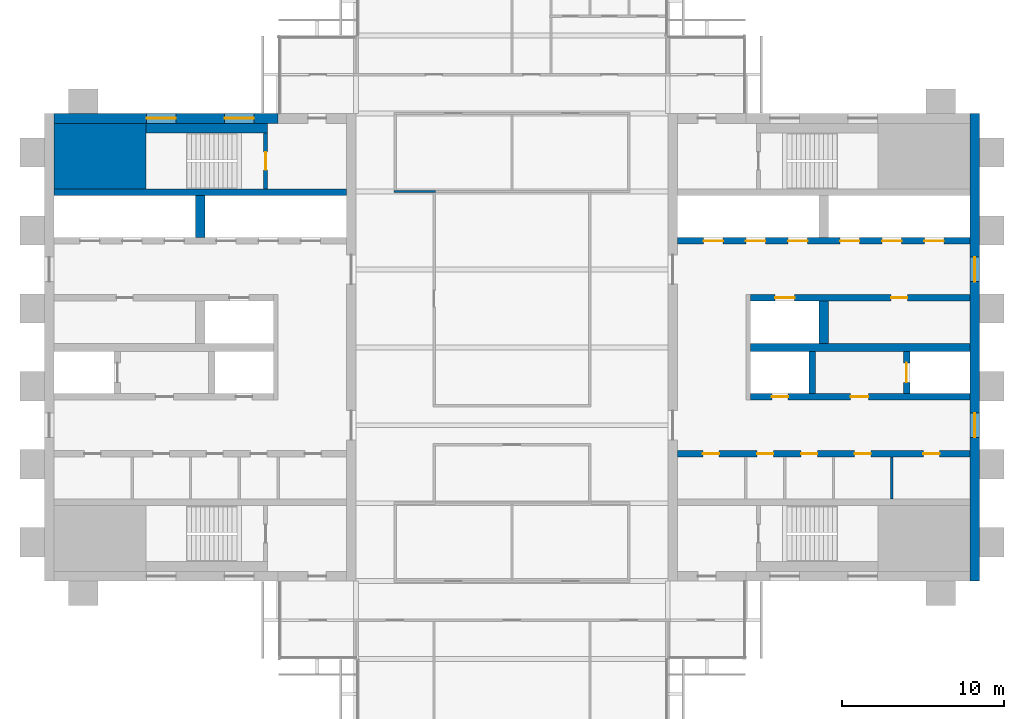
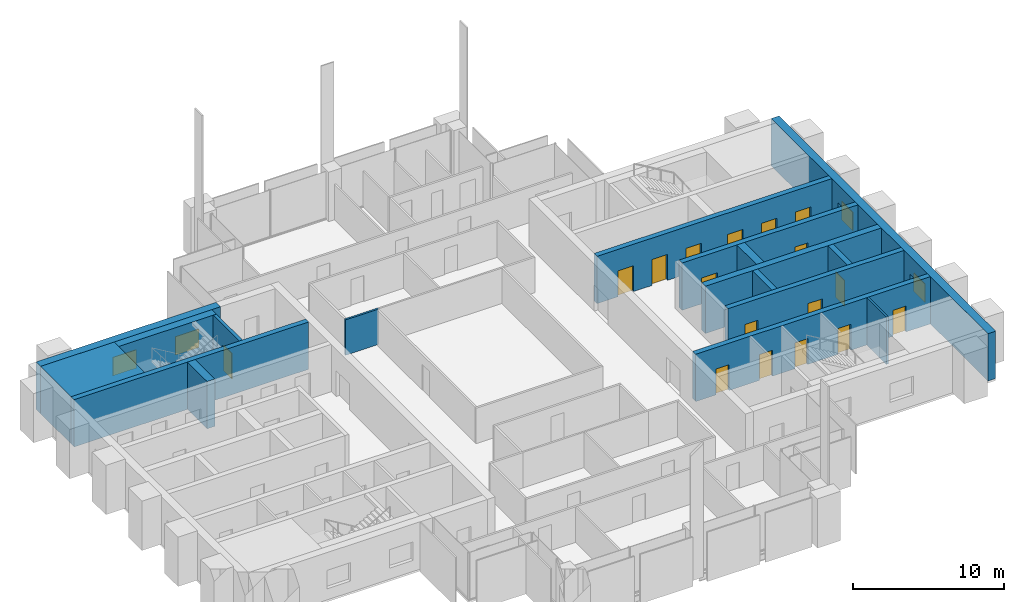
# One storey, part 10 of 13: 17 doors, 17 walls, 4 windows, 21 openings.
"""IFC4 building model written with IfcOpenShell, lengths in metres."""

from ifc_helpers import new_model, si_unit, direction, frame, frame_2d, origin, place, context, subcontext, project, spatial, rectangle, extrude, material, layer, layer_set, type_object, element, fill, save


model = new_model("IFC4")

# Units and contexts
model_context = context("Model", 3, precision=1e-05, world=origin(), true_north=direction((0.0, 1.0)))
body_context = subcontext(model_context, "Body", "Model", "MODEL_VIEW")
ifc_project = project(units=[si_unit("LENGTHUNIT", "METRE"), si_unit("AREAUNIT", "SQUARE_METRE"), si_unit("VOLUMEUNIT", "CUBIC_METRE"), si_unit("PLANEANGLEUNIT", "RADIAN"), si_unit("MASSUNIT", "GRAM", prefix="KILO")], contexts=[model_context])

# Site, building, storey
site_placement = place(None, origin())
site = spatial("IfcSite", under=ifc_project, at=site_placement, CompositionType="ELEMENT")
building_placement = place(site_placement, origin())
building = spatial("IfcBuilding", under=site, at=building_placement, Name="Baori Bourse Tower", CompositionType="ELEMENT")
storey_placement = place(building_placement, frame((0.0, 0.0, 330.300048828125)))
storey = spatial("IfcBuildingStorey", under=building, at=storey_placement, Name="L73", CompositionType="ELEMENT", Elevation=330.300048828125)

# Walls
ifc_material_1 = material(Name="Concrete f'c 40 MPa", Category="concrete")
wall_type_1 = type_object("IfcWallType", Name="Core corner block f'c 40", PredefinedType="SHEAR", material=ifc_material_1)
wall_1_placement = place(storey_placement, frame((0.60009765625, 35.77490234375, 0.0), z_axis=(0.0, 0.0, 1.0), x_axis=(1.0, 0.0, 0.0)))
element("IfcWall", 1, at=wall_1_placement, inside=storey, type_object=wall_type_1, Name="Core wall W24", PredefinedType="SHEAR", context=body_context, shape_type="SweptSolid", body=[
    extrude(rectangle(XDim=5.64990234375, YDim=4.050048828125, at=frame_2d((2.824951171875, 0.0))), origin(), (0.0, 0.0, 1.0), 3.83984375),
])
ifc_material_2 = material(Name="Blockwork partition", Category="masonry")
ifc_layer_1 = layer(ifc_material_2, 0.14990234375)
ifc_layer_set_1 = layer_set([ifc_layer_1], Name="Core partition 150")
wall_type_2 = type_object("IfcWallType", Name="Core partition 150", PredefinedType="PARTITIONING", material=ifc_layer_set_1)
wall_2_placement = place(storey_placement, frame((52.199951171875, 14.64990234375, 0.0), z_axis=(0.0, 0.0, 1.0), x_axis=(0.0, 1.0, 0.0)))
element("IfcWall", 2, at=wall_2_placement, inside=storey, type_object=wall_type_2, Name="Partition wall E09", PredefinedType="PARTITIONING", context=body_context, shape_type="SweptSolid", body=[
    extrude(rectangle(XDim=2.60009765625, YDim=0.14990234375, at=frame_2d((1.300048828125, 0.0))), origin(), (0.0, 0.0, 1.0), 3.83984375),
])

# Wall, openings, windows
ifc_material_3 = material(Name="Concrete f'c 40 MPa", Category="concrete")
ifc_layer_2 = layer(ifc_material_3, 0.60009765625)
ifc_layer_set_2 = layer_set([ifc_layer_2], Name="Core wall 600 f'c 40")
wall_type_3 = type_object("IfcWallType", Name="Core wall 600 f'c 40", PredefinedType="SHEAR", material=ifc_layer_set_2)
wall_3_placement = place(storey_placement, frame((0.60009765625, 38.10009765625, 0.0), z_axis=(0.0, 0.0, 1.0), x_axis=(1.0, 0.0, 0.0)))
wall_3 = element("IfcWall", 3, at=wall_3_placement, inside=storey, type_object=wall_type_3, Name="Core wall W27", PredefinedType="SHEAR", context=body_context, shape_type="SweptSolid", body=[
    extrude(rectangle(XDim=13.7998046875, YDim=0.60009765625, at=frame_2d((6.89990234375, 0.0))), origin(), (0.0, 0.0, 1.0), 3.83984375),
])
opening_1_placement = place(wall_3_placement, frame((5.699951171875, 0.0, 0.89990234375)))
opening_1 = element("IfcOpeningElement", 4, at=opening_1_placement, cuts=wall_3, Name="Opening L73-KW105", PredefinedType="OPENING", context=body_context, shape_type="SweptSolid", body=[
    extrude(rectangle(XDim=1.800048828125, YDim=1.5, at=frame_2d((0.89990234375, 0.75))), frame((0.0, 0.31005859375, 0.0), z_axis=(0.0, -1.0, 0.0), x_axis=(1.0, 0.0, 0.0)), (0.0, 0.0, 1.0), 0.6201171875),
])
opening_2_placement = place(wall_3_placement, frame((10.5, 0.0, 0.89990234375)))
opening_2 = element("IfcOpeningElement", 5, at=opening_2_placement, cuts=wall_3, Name="Opening L73-KW106", PredefinedType="OPENING", context=body_context, shape_type="SweptSolid", body=[
    extrude(rectangle(XDim=1.800048828125, YDim=1.5, at=frame_2d((0.89990234375, 0.75))), frame((0.0, 0.31005859375, 0.0), z_axis=(0.0, -1.0, 0.0), x_axis=(1.0, 0.0, 0.0)), (0.0, 0.0, 1.0), 0.6201171875),
])
ifc_material_4 = material(Name="Pale anodised aluminium", Category="aluminium")
window_type_1 = type_object("IfcWindowType", Name="Stair window 1800 x 1500", PartitioningType="SINGLE_PANEL", PredefinedType="WINDOW", material=ifc_material_4)
window_1_placement = place(opening_1_placement, origin())
window_1 = element("IfcWindow", 6, at=window_1_placement, inside=storey, type_object=window_type_1, Name="Stair window W L73 5", OverallHeight=1.5, OverallWidth=1.800048828125, PartitioningType="SINGLE_PANEL", PredefinedType="WINDOW", context=body_context, shape_type="SweptSolid", body=[
    extrude(rectangle(XDim=1.800048828125, YDim=1.5, at=frame_2d((0.89990234375, 0.75))), frame((0.0, 0.030029296875, 0.0), z_axis=(0.0, -1.0, 0.0), x_axis=(1.0, 0.0, 0.0)), (0.0, 0.0, 1.0), 0.06005859375),
])
fill(opening_1, window_1)
window_2_placement = place(opening_2_placement, origin())
window_2 = element("IfcWindow", 7, at=window_2_placement, inside=storey, type_object=window_type_1, Name="Stair window W L73 6", OverallHeight=1.5, OverallWidth=1.800048828125, PartitioningType="SINGLE_PANEL", PredefinedType="WINDOW", context=body_context, shape_type="SweptSolid", body=[
    extrude(rectangle(XDim=1.800048828125, YDim=1.5, at=frame_2d((0.89990234375, 0.75))), frame((0.0, 0.030029296875, 0.0), z_axis=(0.0, -1.0, 0.0), x_axis=(1.0, 0.0, 0.0)), (0.0, 0.0, 1.0), 0.06005859375),
])
fill(opening_2, window_2)

wall_4_placement = place(storey_placement, frame((57.300048828125, 38.39990234375, 0.0), z_axis=(0.0, 0.0, 1.0), x_axis=(0.0, -1.0, 0.0)))
wall_4 = element("IfcWall", 8, at=wall_4_placement, inside=storey, type_object=wall_type_3, Name="Core wall E01", PredefinedType="SHEAR", context=body_context, shape_type="SweptSolid", body=[
    extrude(rectangle(XDim=28.7998046875, YDim=0.60009765625, at=frame_2d((14.39990234375, 0.0))), origin(), (0.0, 0.0, 1.0), 3.83984375),
])
opening_3_placement = place(wall_4_placement, frame((18.449951171875, 0.0, 0.89990234375)))
opening_3 = element("IfcOpeningElement", 9, at=opening_3_placement, cuts=wall_4, Name="Opening L73-KW201", PredefinedType="OPENING", context=body_context, shape_type="SweptSolid", body=[
    extrude(rectangle(XDim=1.5, YDim=1.5, at=frame_2d((0.75, 0.75))), frame((0.0, 0.31005859375, 0.0), z_axis=(0.0, -1.0, 0.0), x_axis=(1.0, 0.0, 0.0)), (0.0, 0.0, 1.0), 0.6201171875),
])
opening_4_placement = place(wall_4_placement, frame((8.85009765625, 0.0, 0.89990234375)))
opening_4 = element("IfcOpeningElement", 10, at=opening_4_placement, cuts=wall_4, Name="Opening L73-KW202", PredefinedType="OPENING", context=body_context, shape_type="SweptSolid", body=[
    extrude(rectangle(XDim=1.5, YDim=1.5, at=frame_2d((0.75, 0.75))), frame((0.0, 0.31005859375, 0.0), z_axis=(0.0, -1.0, 0.0), x_axis=(1.0, 0.0, 0.0)), (0.0, 0.0, 1.0), 0.6201171875),
])
ifc_material_5 = material(Name="Pale anodised aluminium", Category="aluminium")
window_type_2 = type_object("IfcWindowType", Name="Lobby window 1500 x 1500", PartitioningType="SINGLE_PANEL", PredefinedType="WINDOW", material=ifc_material_5)
window_3_placement = place(opening_3_placement, origin())
window_3 = element("IfcWindow", 11, at=window_3_placement, inside=storey, type_object=window_type_2, Name="Outer wall window E L73 1", OverallHeight=1.5, OverallWidth=1.5, PartitioningType="SINGLE_PANEL", PredefinedType="WINDOW", context=body_context, shape_type="SweptSolid", body=[
    extrude(rectangle(XDim=1.5, YDim=1.5, at=frame_2d((0.75, 0.75))), frame((0.0, 0.030029296875, 0.0), z_axis=(0.0, -1.0, 0.0), x_axis=(1.0, 0.0, 0.0)), (0.0, 0.0, 1.0), 0.06005859375),
])
fill(opening_3, window_3)
window_4_placement = place(opening_4_placement, origin())
window_4 = element("IfcWindow", 12, at=window_4_placement, inside=storey, type_object=window_type_2, Name="Outer wall window E L73 2", OverallHeight=1.5, OverallWidth=1.5, PartitioningType="SINGLE_PANEL", PredefinedType="WINDOW", context=body_context, shape_type="SweptSolid", body=[
    extrude(rectangle(XDim=1.5, YDim=1.5, at=frame_2d((0.75, 0.75))), frame((0.0, 0.030029296875, 0.0), z_axis=(0.0, -1.0, 0.0), x_axis=(1.0, 0.0, 0.0)), (0.0, 0.0, 1.0), 0.06005859375),
])
fill(opening_4, window_4)

# Wall
ifc_material_6 = material(Name="Gypsum board partition")
ifc_layer_3 = layer(ifc_material_6, 0.14990234375)
ifc_layer_set_3 = layer_set([ifc_layer_3], Name="Corridor partition 150")
wall_type_4 = type_object("IfcWallType", Name="Corridor partition 150", PredefinedType="PARTITIONING", material=ifc_layer_set_3)
wall_5_placement = place(storey_placement, frame((21.52490234375, 33.60009765625, 0.0), z_axis=(0.0, 0.0, 1.0), x_axis=(1.0, 0.0, 0.0)))
element("IfcWall", 13, at=wall_5_placement, inside=storey, type_object=wall_type_4, Name="Partition", PredefinedType="PARTITIONING", context=body_context, shape_type="SweptSolid", body=[
    extrude(rectangle(XDim=2.550048828125, YDim=0.14990234375, at=frame_2d((1.27490234375, 0.0))), origin(), (0.0, 0.0, 1.0), 2.86962890625),
])

# Wall, opening, door
ifc_material_7 = material(Name="Concrete f'c 40 MPa", Category="concrete")
ifc_layer_4 = layer(ifc_material_7, 0.25)
ifc_layer_set_4 = layer_set([ifc_layer_4], Name="Shaft wall 250 f'c 40")
wall_type_5 = type_object("IfcWallType", Name="Shaft wall 250 f'c 40", PredefinedType="SHEAR", material=ifc_layer_set_4)
wall_6_placement = place(storey_placement, frame((13.625, 33.75, 0.0), z_axis=(0.0, 0.0, 1.0), x_axis=(0.0, 1.0, 0.0)))
wall_6 = element("IfcWall", 14, at=wall_6_placement, inside=storey, type_object=wall_type_5, Name="Core wall W25", PredefinedType="SHEAR", context=body_context, shape_type="SweptSolid", body=[
    extrude(rectangle(XDim=3.449951171875, YDim=0.25, at=frame_2d((1.72509765625, 0.0))), origin(), (0.0, 0.0, 1.0), 3.83984375),
])
opening_5_placement = place(wall_6_placement, frame((1.175048828125, 0.0, 0.0)))
opening_5 = element("IfcOpeningElement", 15, at=opening_5_placement, cuts=wall_6, Name="Opening L73-D103", PredefinedType="OPENING", context=body_context, shape_type="SweptSolid", body=[
    extrude(rectangle(XDim=1.10009765625, YDim=2.10009765625, at=frame_2d((0.550048828125, 1.050048828125))), frame((0.0, 0.135009765625, 0.0), z_axis=(0.0, -1.0, 0.0), x_axis=(1.0, 0.0, 0.0)), (0.0, 0.0, 1.0), 0.27001953125),
])
ifc_material_8 = material(Name="Painted steel door", Category="steel")
door_type_1 = type_object("IfcDoorType", Name="Stair door 1100", OperationType="SINGLE_SWING_LEFT", PredefinedType="DOOR", material=ifc_material_8)
door_1_placement = place(opening_5_placement, origin())
door_1 = element("IfcDoor", 16, at=door_1_placement, inside=storey, type_object=door_type_1, Name="Stair door B W L73", OperationType="SINGLE_SWING_LEFT", OverallHeight=2.10009765625, OverallWidth=1.10009765625, PredefinedType="DOOR", context=body_context, shape_type="SweptSolid", body=[
    extrude(rectangle(XDim=1.10009765625, YDim=2.10009765625, at=frame_2d((0.550048828125, 1.050048828125))), frame((0.0, 0.02490234375, 0.0), z_axis=(0.0, -1.0, 0.0), x_axis=(1.0, 0.0, 0.0)), (0.0, 0.0, 1.0), 0.050048828125),
])
fill(opening_5, door_1)

# Wall
ifc_material_9 = material(Name="Concrete f'c 40 MPa", Category="concrete")
ifc_layer_5 = layer(ifc_material_9, 0.39990234375)
ifc_layer_set_5 = layer_set([ifc_layer_5], Name="Shaft wall 400 f'c 40")
wall_type_6 = type_object("IfcWallType", Name="Shaft wall 400 f'c 40", PredefinedType="SHEAR", material=ifc_layer_set_5)
wall_7_placement = place(storey_placement, frame((0.60009765625, 33.550048828125, 0.0), z_axis=(0.0, 0.0, 1.0), x_axis=(1.0, 0.0, 0.0)))
element("IfcWall", 17, at=wall_7_placement, inside=storey, type_object=wall_type_6, Name="Core wall W23", PredefinedType="SHEAR", context=body_context, shape_type="SweptSolid", body=[
    extrude(rectangle(XDim=18.0, YDim=0.39990234375, at=frame_2d((9.0, 0.0))), origin(), (0.0, 0.0, 1.0), 3.83984375),
])

# Wall, openings, doors
wall_8_placement = place(storey_placement, frame((39.0, 17.449951171875, 0.0), z_axis=(0.0, 0.0, 1.0), x_axis=(1.0, 0.0, 0.0)))
wall_8 = element("IfcWall", 18, at=wall_8_placement, inside=storey, type_object=wall_type_6, Name="Core wall E13", PredefinedType="SHEAR", context=body_context, shape_type="SweptSolid", body=[
    extrude(rectangle(XDim=18.0, YDim=0.39990234375, at=frame_2d((9.0, 0.0))), origin(), (0.0, 0.0, 1.0), 3.83984375),
])
opening_6_placement = place(wall_8_placement, frame((15.137451171875, 0.0, 0.0)))
opening_6 = element("IfcOpeningElement", 19, at=opening_6_placement, cuts=wall_8, Name="Opening L73-D209", PredefinedType="OPENING", context=body_context, shape_type="SweptSolid", body=[
    extrude(rectangle(XDim=1.0, YDim=2.10009765625, at=frame_2d((0.5, 1.050048828125))), frame((0.0, 0.2099609375, 0.0), z_axis=(0.0, -1.0, 0.0), x_axis=(1.0, 0.0, 0.0)), (0.0, 0.0, 1.0), 0.419921875),
])
opening_7_placement = place(wall_8_placement, frame((10.89990234375, 0.0, 0.0)))
opening_7 = element("IfcOpeningElement", 20, at=opening_7_placement, cuts=wall_8, Name="Opening L73-D210", PredefinedType="OPENING", context=body_context, shape_type="SweptSolid", body=[
    extrude(rectangle(XDim=1.0, YDim=2.10009765625, at=frame_2d((0.5, 1.050048828125))), frame((0.0, 0.2099609375, 0.0), z_axis=(0.0, -1.0, 0.0), x_axis=(1.0, 0.0, 0.0)), (0.0, 0.0, 1.0), 0.419921875),
])
opening_8_placement = place(wall_8_placement, frame((7.60009765625, 0.0, 0.0)))
opening_8 = element("IfcOpeningElement", 21, at=opening_8_placement, cuts=wall_8, Name="Opening L73-D211", PredefinedType="OPENING", context=body_context, shape_type="SweptSolid", body=[
    extrude(rectangle(XDim=1.0, YDim=2.10009765625, at=frame_2d((0.5, 1.050048828125))), frame((0.0, 0.2099609375, 0.0), z_axis=(0.0, -1.0, 0.0), x_axis=(1.0, 0.0, 0.0)), (0.0, 0.0, 1.0), 0.419921875),
])
opening_9_placement = place(wall_8_placement, frame((4.89990234375, 0.0, 0.0)))
opening_9 = element("IfcOpeningElement", 22, at=opening_9_placement, cuts=wall_8, Name="Opening L73-D212", PredefinedType="OPENING", context=body_context, shape_type="SweptSolid", body=[
    extrude(rectangle(XDim=1.0, YDim=2.10009765625, at=frame_2d((0.5, 1.050048828125))), frame((0.0, 0.2099609375, 0.0), z_axis=(0.0, -1.0, 0.0), x_axis=(1.0, 0.0, 0.0)), (0.0, 0.0, 1.0), 0.419921875),
])
opening_10_placement = place(wall_8_placement, frame((1.5625, 0.0, 0.0)))
opening_10 = element("IfcOpeningElement", 23, at=opening_10_placement, cuts=wall_8, Name="Opening L73-D213", PredefinedType="OPENING", context=body_context, shape_type="SweptSolid", body=[
    extrude(rectangle(XDim=1.0, YDim=2.10009765625, at=frame_2d((0.5, 1.050048828125))), frame((0.0, 0.2099609375, 0.0), z_axis=(0.0, -1.0, 0.0), x_axis=(1.0, 0.0, 0.0)), (0.0, 0.0, 1.0), 0.419921875),
])
ifc_material_10 = material(Name="Painted steel door", Category="steel")
door_type_2 = type_object("IfcDoorType", Name="Core door 1000", OperationType="SINGLE_SWING_LEFT", PredefinedType="DOOR", material=ifc_material_10)
door_2_placement = place(opening_6_placement, origin())
door_2 = element("IfcDoor", 24, at=door_2_placement, inside=storey, type_object=door_type_2, Name="Men'S Wc door E L73", OperationType="SINGLE_SWING_LEFT", OverallHeight=2.10009765625, OverallWidth=1.0, PredefinedType="DOOR", context=body_context, shape_type="SweptSolid", body=[
    extrude(rectangle(XDim=1.0, YDim=2.10009765625, at=frame_2d((0.5, 1.050048828125))), frame((0.0, 0.02490234375, 0.0), z_axis=(0.0, -1.0, 0.0), x_axis=(1.0, 0.0, 0.0)), (0.0, 0.0, 1.0), 0.050048828125),
])
fill(opening_6, door_2)
door_3_placement = place(opening_7_placement, origin())
door_3 = element("IfcDoor", 25, at=door_3_placement, inside=storey, type_object=door_type_2, Name="Women'S Wc door E L73", OperationType="SINGLE_SWING_LEFT", OverallHeight=2.10009765625, OverallWidth=1.0, PredefinedType="DOOR", context=body_context, shape_type="SweptSolid", body=[
    extrude(rectangle(XDim=1.0, YDim=2.10009765625, at=frame_2d((0.5, 1.050048828125))), frame((0.0, 0.02490234375, 0.0), z_axis=(0.0, -1.0, 0.0), x_axis=(1.0, 0.0, 0.0)), (0.0, 0.0, 1.0), 0.050048828125),
])
fill(opening_7, door_3)
door_4_placement = place(opening_9_placement, origin())
door_4 = element("IfcDoor", 26, at=door_4_placement, inside=storey, type_object=door_type_2, Name="Pantry door E L73", OperationType="SINGLE_SWING_LEFT", OverallHeight=2.10009765625, OverallWidth=1.0, PredefinedType="DOOR", context=body_context, shape_type="SweptSolid", body=[
    extrude(rectangle(XDim=1.0, YDim=2.10009765625, at=frame_2d((0.5, 1.050048828125))), frame((0.0, 0.02490234375, 0.0), z_axis=(0.0, -1.0, 0.0), x_axis=(1.0, 0.0, 0.0)), (0.0, 0.0, 1.0), 0.050048828125),
])
fill(opening_9, door_4)
door_5_placement = place(opening_10_placement, origin())
door_5 = element("IfcDoor", 27, at=door_5_placement, inside=storey, type_object=door_type_2, Name="Accessible Wc door E L73", OperationType="SINGLE_SWING_LEFT", OverallHeight=2.10009765625, OverallWidth=1.0, PredefinedType="DOOR", context=body_context, shape_type="SweptSolid", body=[
    extrude(rectangle(XDim=1.0, YDim=2.10009765625, at=frame_2d((0.5, 1.050048828125))), frame((0.0, 0.02490234375, 0.0), z_axis=(0.0, -1.0, 0.0), x_axis=(1.0, 0.0, 0.0)), (0.0, 0.0, 1.0), 0.050048828125),
])
fill(opening_10, door_5)
ifc_material_11 = material(Name="Painted steel door", Category="steel")
door_type_3 = type_object("IfcDoorType", Name="Plant room door 1000", OperationType="SINGLE_SWING_LEFT", PredefinedType="DOOR", material=ifc_material_11)
door_6_placement = place(opening_8_placement, origin())
door_6 = element("IfcDoor", 28, at=door_6_placement, inside=storey, type_object=door_type_3, Name="Electrical Room door E L73", OperationType="SINGLE_SWING_LEFT", OverallHeight=2.10009765625, OverallWidth=1.0, PredefinedType="DOOR", context=body_context, shape_type="SweptSolid", body=[
    extrude(rectangle(XDim=1.0, YDim=2.10009765625, at=frame_2d((0.5, 1.050048828125))), frame((0.0, 0.02490234375, 0.0), z_axis=(0.0, -1.0, 0.0), x_axis=(1.0, 0.0, 0.0)), (0.0, 0.0, 1.0), 0.050048828125),
])
fill(opening_8, door_6)

wall_9_placement = place(storey_placement, frame((43.5, 20.949951171875, 0.0), z_axis=(0.0, 0.0, 1.0), x_axis=(1.0, 0.0, 0.0)))
wall_9 = element("IfcWall", 29, at=wall_9_placement, inside=storey, type_object=wall_type_6, Name="Core wall E14", PredefinedType="SHEAR", context=body_context, shape_type="SweptSolid", body=[
    extrude(rectangle(XDim=13.5, YDim=0.39990234375, at=frame_2d((6.75, 0.0))), origin(), (0.0, 0.0, 1.0), 3.83984375),
])
opening_11_placement = place(wall_9_placement, frame((6.14990234375, 0.0, 0.0)))
opening_11 = element("IfcOpeningElement", 30, at=opening_11_placement, cuts=wall_9, Name="Opening L73-D205", PredefinedType="OPENING", context=body_context, shape_type="SweptSolid", body=[
    extrude(rectangle(XDim=1.10009765625, YDim=2.10009765625, at=frame_2d((0.550048828125, 1.050048828125))), frame((0.0, 0.2099609375, 0.0), z_axis=(0.0, -1.0, 0.0), x_axis=(1.0, 0.0, 0.0)), (0.0, 0.0, 1.0), 0.419921875),
])
opening_12_placement = place(wall_9_placement, frame((1.300048828125, 0.0, 0.0)))
opening_12 = element("IfcOpeningElement", 31, at=opening_12_placement, cuts=wall_9, Name="Opening L73-D206", PredefinedType="OPENING", context=body_context, shape_type="SweptSolid", body=[
    extrude(rectangle(XDim=1.0, YDim=2.10009765625, at=frame_2d((0.5, 1.050048828125))), frame((0.0, 0.2099609375, 0.0), z_axis=(0.0, -1.0, 0.0), x_axis=(1.0, 0.0, 0.0)), (0.0, 0.0, 1.0), 0.419921875),
])
ifc_material_12 = material(Name="Painted steel door", Category="steel")
door_type_4 = type_object("IfcDoorType", Name="Lobby door 1100", OperationType="SINGLE_SWING_LEFT", PredefinedType="DOOR", material=ifc_material_12)
door_7_placement = place(opening_11_placement, origin())
door_7 = element("IfcDoor", 32, at=door_7_placement, inside=storey, type_object=door_type_4, Name="Firefighting lobby door E L73", OperationType="SINGLE_SWING_LEFT", OverallHeight=2.10009765625, OverallWidth=1.10009765625, PredefinedType="DOOR", context=body_context, shape_type="SweptSolid", body=[
    extrude(rectangle(XDim=1.10009765625, YDim=2.10009765625, at=frame_2d((0.550048828125, 1.050048828125))), frame((0.0, 0.02490234375, 0.0), z_axis=(0.0, -1.0, 0.0), x_axis=(1.0, 0.0, 0.0)), (0.0, 0.0, 1.0), 0.050048828125),
])
fill(opening_11, door_7)
ifc_material_13 = material(Name="Painted steel door", Category="steel")
door_type_5 = type_object("IfcDoorType", Name="Shaft door 1000", OperationType="SINGLE_SWING_LEFT", PredefinedType="DOOR", material=ifc_material_13)
door_8_placement = place(opening_12_placement, origin())
door_8 = element("IfcDoor", 33, at=door_8_placement, inside=storey, type_object=door_type_5, Name="Riser room door E L73", OperationType="SINGLE_SWING_LEFT", OverallHeight=2.10009765625, OverallWidth=1.0, PredefinedType="DOOR", context=body_context, shape_type="SweptSolid", body=[
    extrude(rectangle(XDim=1.0, YDim=2.10009765625, at=frame_2d((0.5, 1.050048828125))), frame((0.0, 0.02490234375, 0.0), z_axis=(0.0, -1.0, 0.0), x_axis=(1.0, 0.0, 0.0)), (0.0, 0.0, 1.0), 0.050048828125),
])
fill(opening_12, door_8)

# Wall, opening, door
wall_10_placement = place(storey_placement, frame((53.10009765625, 21.14990234375, 0.0), z_axis=(0.0, 0.0, 1.0), x_axis=(0.0, 1.0, 0.0)))
wall_10 = element("IfcWall", 34, at=wall_10_placement, inside=storey, type_object=wall_type_6, Name="Core wall E16", PredefinedType="SHEAR", context=body_context, shape_type="SweptSolid", body=[
    extrude(rectangle(XDim=2.60009765625, YDim=0.39990234375, at=frame_2d((1.300048828125, 0.0))), origin(), (0.0, 0.0, 1.0), 3.83984375),
])
opening_13_placement = place(wall_10_placement, frame((0.699951171875, 0.0, 0.0)))
opening_13 = element("IfcOpeningElement", 35, at=opening_13_placement, cuts=wall_10, Name="Opening L73-D222", PredefinedType="OPENING", context=body_context, shape_type="SweptSolid", body=[
    extrude(rectangle(XDim=1.199951171875, YDim=2.10009765625, at=frame_2d((0.60009765625, 1.050048828125))), frame((0.0, 0.2099609375, 0.0), z_axis=(0.0, -1.0, 0.0), x_axis=(1.0, 0.0, 0.0)), (0.0, 0.0, 1.0), 0.419921875),
])
ifc_material_14 = material(Name="Stainless steel door", Category="steel")
door_type_6 = type_object("IfcDoorType", Name="Lift landing door", OperationType="DOUBLE_DOOR_SLIDING", PredefinedType="DOOR", material=ifc_material_14)
door_9_placement = place(opening_13_placement, origin())
door_9 = element("IfcDoor", 36, at=door_9_placement, inside=storey, type_object=door_type_6, Name="Lift landing door FF2 E L73", OperationType="DOUBLE_DOOR_SLIDING", OverallHeight=2.10009765625, OverallWidth=1.199951171875, PredefinedType="DOOR", context=body_context, shape_type="SweptSolid", body=[
    extrude(rectangle(XDim=1.199951171875, YDim=2.10009765625, at=frame_2d((0.60009765625, 1.050048828125))), frame((0.0, 0.02490234375, 0.0), z_axis=(0.0, -1.0, 0.0), x_axis=(1.0, 0.0, 0.0)), (0.0, 0.0, 1.0), 0.050048828125),
])
fill(opening_13, door_9)

# Wall
wall_11_placement = place(storey_placement, frame((47.300048828125, 21.14990234375, 0.0), z_axis=(0.0, 0.0, 1.0), x_axis=(0.0, 1.0, 0.0)))
element("IfcWall", 37, at=wall_11_placement, inside=storey, type_object=wall_type_6, Name="Core wall E17", PredefinedType="SHEAR", context=body_context, shape_type="SweptSolid", body=[
    extrude(rectangle(XDim=2.60009765625, YDim=0.39990234375, at=frame_2d((1.300048828125, 0.0))), origin(), (0.0, 0.0, 1.0), 3.83984375),
])

# Wall, openings, doors
wall_12_placement = place(storey_placement, frame((43.5, 27.050048828125, 0.0), z_axis=(0.0, 0.0, 1.0), x_axis=(1.0, 0.0, 0.0)))
wall_12 = element("IfcWall", 38, at=wall_12_placement, inside=storey, type_object=wall_type_6, Name="Core wall E20", PredefinedType="SHEAR", context=body_context, shape_type="SweptSolid", body=[
    extrude(rectangle(XDim=13.5, YDim=0.39990234375, at=frame_2d((6.75, 0.0))), origin(), (0.0, 0.0, 1.0), 3.83984375),
])
opening_14_placement = place(wall_12_placement, frame((8.64990234375, 0.0, 0.0)))
opening_14 = element("IfcOpeningElement", 39, at=opening_14_placement, cuts=wall_12, Name="Opening L73-D214", PredefinedType="OPENING", context=body_context, shape_type="SweptSolid", body=[
    extrude(rectangle(XDim=1.0, YDim=2.10009765625, at=frame_2d((0.5, 1.050048828125))), frame((0.0, 0.2099609375, 0.0), z_axis=(0.0, -1.0, 0.0), x_axis=(1.0, 0.0, 0.0)), (0.0, 0.0, 1.0), 0.419921875),
])
opening_15_placement = place(wall_12_placement, frame((1.5, 0.0, 0.0)))
opening_15 = element("IfcOpeningElement", 40, at=opening_15_placement, cuts=wall_12, Name="Opening L73-D221", PredefinedType="OPENING", context=body_context, shape_type="SweptSolid", body=[
    extrude(rectangle(XDim=1.199951171875, YDim=2.10009765625, at=frame_2d((0.60009765625, 1.050048828125))), frame((0.0, 0.2099609375, 0.0), z_axis=(0.0, -1.0, 0.0), x_axis=(1.0, 0.0, 0.0)), (0.0, 0.0, 1.0), 0.419921875),
])
door_10_placement = place(opening_14_placement, origin())
door_10 = element("IfcDoor", 41, at=door_10_placement, inside=storey, type_object=door_type_2, Name="Recycling Room door E L73", OperationType="SINGLE_SWING_LEFT", OverallHeight=2.10009765625, OverallWidth=1.0, PredefinedType="DOOR", context=body_context, shape_type="SweptSolid", body=[
    extrude(rectangle(XDim=1.0, YDim=2.10009765625, at=frame_2d((0.5, 1.050048828125))), frame((0.0, 0.02490234375, 0.0), z_axis=(0.0, -1.0, 0.0), x_axis=(1.0, 0.0, 0.0)), (0.0, 0.0, 1.0), 0.050048828125),
])
fill(opening_14, door_10)
door_11_placement = place(opening_15_placement, origin())
door_11 = element("IfcDoor", 42, at=door_11_placement, inside=storey, type_object=door_type_6, Name="Lift landing door SV1 E L73", OperationType="DOUBLE_DOOR_SLIDING", OverallHeight=2.10009765625, OverallWidth=1.199951171875, PredefinedType="DOOR", context=body_context, shape_type="SweptSolid", body=[
    extrude(rectangle(XDim=1.199951171875, YDim=2.10009765625, at=frame_2d((0.60009765625, 1.050048828125))), frame((0.0, 0.02490234375, 0.0), z_axis=(0.0, -1.0, 0.0), x_axis=(1.0, 0.0, 0.0)), (0.0, 0.0, 1.0), 0.050048828125),
])
fill(opening_15, door_11)

wall_13_placement = place(storey_placement, frame((39.0, 30.550048828125, 0.0), z_axis=(0.0, 0.0, 1.0), x_axis=(1.0, 0.0, 0.0)))
wall_13 = element("IfcWall", 43, at=wall_13_placement, inside=storey, type_object=wall_type_6, Name="Core wall E21", PredefinedType="SHEAR", context=body_context, shape_type="SweptSolid", body=[
    extrude(rectangle(XDim=18.0, YDim=0.39990234375, at=frame_2d((9.0, 0.0))), origin(), (0.0, 0.0, 1.0), 3.83984375),
])
opening_16_placement = place(wall_13_placement, frame((15.199951171875, 0.0, 0.0)))
opening_16 = element("IfcOpeningElement", 44, at=opening_16_placement, cuts=wall_13, Name="Opening L73-D215", PredefinedType="OPENING", context=body_context, shape_type="SweptSolid", body=[
    extrude(rectangle(XDim=1.199951171875, YDim=2.10009765625, at=frame_2d((0.60009765625, 1.050048828125))), frame((0.0, 0.2099609375, 0.0), z_axis=(0.0, -1.0, 0.0), x_axis=(1.0, 0.0, 0.0)), (0.0, 0.0, 1.0), 0.419921875),
])
opening_17_placement = place(wall_13_placement, frame((12.60009765625, 0.0, 0.0)))
opening_17 = element("IfcOpeningElement", 45, at=opening_17_placement, cuts=wall_13, Name="Opening L73-D216", PredefinedType="OPENING", context=body_context, shape_type="SweptSolid", body=[
    extrude(rectangle(XDim=1.199951171875, YDim=2.10009765625, at=frame_2d((0.60009765625, 1.050048828125))), frame((0.0, 0.2099609375, 0.0), z_axis=(0.0, -1.0, 0.0), x_axis=(1.0, 0.0, 0.0)), (0.0, 0.0, 1.0), 0.419921875),
])
opening_18_placement = place(wall_13_placement, frame((10.0, 0.0, 0.0)))
opening_18 = element("IfcOpeningElement", 46, at=opening_18_placement, cuts=wall_13, Name="Opening L73-D217", PredefinedType="OPENING", context=body_context, shape_type="SweptSolid", body=[
    extrude(rectangle(XDim=1.199951171875, YDim=2.10009765625, at=frame_2d((0.60009765625, 1.050048828125))), frame((0.0, 0.2099609375, 0.0), z_axis=(0.0, -1.0, 0.0), x_axis=(1.0, 0.0, 0.0)), (0.0, 0.0, 1.0), 0.419921875),
])
opening_19_placement = place(wall_13_placement, frame((6.800048828125, 0.0, 0.0)))
opening_19 = element("IfcOpeningElement", 47, at=opening_19_placement, cuts=wall_13, Name="Opening L73-D218", PredefinedType="OPENING", context=body_context, shape_type="SweptSolid", body=[
    extrude(rectangle(XDim=1.199951171875, YDim=2.10009765625, at=frame_2d((0.60009765625, 1.050048828125))), frame((0.0, 0.2099609375, 0.0), z_axis=(0.0, -1.0, 0.0), x_axis=(1.0, 0.0, 0.0)), (0.0, 0.0, 1.0), 0.419921875),
])
opening_20_placement = place(wall_13_placement, frame((4.199951171875, 0.0, 0.0)))
opening_20 = element("IfcOpeningElement", 48, at=opening_20_placement, cuts=wall_13, Name="Opening L73-D219", PredefinedType="OPENING", context=body_context, shape_type="SweptSolid", body=[
    extrude(rectangle(XDim=1.199951171875, YDim=2.10009765625, at=frame_2d((0.60009765625, 1.050048828125))), frame((0.0, 0.2099609375, 0.0), z_axis=(0.0, -1.0, 0.0), x_axis=(1.0, 0.0, 0.0)), (0.0, 0.0, 1.0), 0.419921875),
])
opening_21_placement = place(wall_13_placement, frame((1.60009765625, 0.0, 0.0)))
opening_21 = element("IfcOpeningElement", 49, at=opening_21_placement, cuts=wall_13, Name="Opening L73-D220", PredefinedType="OPENING", context=body_context, shape_type="SweptSolid", body=[
    extrude(rectangle(XDim=1.199951171875, YDim=2.10009765625, at=frame_2d((0.60009765625, 1.050048828125))), frame((0.0, 0.2099609375, 0.0), z_axis=(0.0, -1.0, 0.0), x_axis=(1.0, 0.0, 0.0)), (0.0, 0.0, 1.0), 0.419921875),
])
door_12_placement = place(opening_16_placement, origin())
door_12 = element("IfcDoor", 50, at=door_12_placement, inside=storey, type_object=door_type_6, Name="Lift landing door HR1 E L73", OperationType="DOUBLE_DOOR_SLIDING", OverallHeight=2.10009765625, OverallWidth=1.199951171875, PredefinedType="DOOR", context=body_context, shape_type="SweptSolid", body=[
    extrude(rectangle(XDim=1.199951171875, YDim=2.10009765625, at=frame_2d((0.60009765625, 1.050048828125))), frame((0.0, 0.02490234375, 0.0), z_axis=(0.0, -1.0, 0.0), x_axis=(1.0, 0.0, 0.0)), (0.0, 0.0, 1.0), 0.050048828125),
])
fill(opening_16, door_12)
door_13_placement = place(opening_17_placement, origin())
door_13 = element("IfcDoor", 51, at=door_13_placement, inside=storey, type_object=door_type_6, Name="Lift landing door HR2 E L73", OperationType="DOUBLE_DOOR_SLIDING", OverallHeight=2.10009765625, OverallWidth=1.199951171875, PredefinedType="DOOR", context=body_context, shape_type="SweptSolid", body=[
    extrude(rectangle(XDim=1.199951171875, YDim=2.10009765625, at=frame_2d((0.60009765625, 1.050048828125))), frame((0.0, 0.02490234375, 0.0), z_axis=(0.0, -1.0, 0.0), x_axis=(1.0, 0.0, 0.0)), (0.0, 0.0, 1.0), 0.050048828125),
])
fill(opening_17, door_13)
door_14_placement = place(opening_18_placement, origin())
door_14 = element("IfcDoor", 52, at=door_14_placement, inside=storey, type_object=door_type_6, Name="Lift landing door HR3 E L73", OperationType="DOUBLE_DOOR_SLIDING", OverallHeight=2.10009765625, OverallWidth=1.199951171875, PredefinedType="DOOR", context=body_context, shape_type="SweptSolid", body=[
    extrude(rectangle(XDim=1.199951171875, YDim=2.10009765625, at=frame_2d((0.60009765625, 1.050048828125))), frame((0.0, 0.02490234375, 0.0), z_axis=(0.0, -1.0, 0.0), x_axis=(1.0, 0.0, 0.0)), (0.0, 0.0, 1.0), 0.050048828125),
])
fill(opening_18, door_14)
door_15_placement = place(opening_19_placement, origin())
door_15 = element("IfcDoor", 53, at=door_15_placement, inside=storey, type_object=door_type_6, Name="Lift landing door HR4 E L73", OperationType="DOUBLE_DOOR_SLIDING", OverallHeight=2.10009765625, OverallWidth=1.199951171875, PredefinedType="DOOR", context=body_context, shape_type="SweptSolid", body=[
    extrude(rectangle(XDim=1.199951171875, YDim=2.10009765625, at=frame_2d((0.60009765625, 1.050048828125))), frame((0.0, 0.02490234375, 0.0), z_axis=(0.0, -1.0, 0.0), x_axis=(1.0, 0.0, 0.0)), (0.0, 0.0, 1.0), 0.050048828125),
])
fill(opening_19, door_15)
door_16_placement = place(opening_20_placement, origin())
door_16 = element("IfcDoor", 54, at=door_16_placement, inside=storey, type_object=door_type_6, Name="Lift landing door HR5 E L73", OperationType="DOUBLE_DOOR_SLIDING", OverallHeight=2.10009765625, OverallWidth=1.199951171875, PredefinedType="DOOR", context=body_context, shape_type="SweptSolid", body=[
    extrude(rectangle(XDim=1.199951171875, YDim=2.10009765625, at=frame_2d((0.60009765625, 1.050048828125))), frame((0.0, 0.02490234375, 0.0), z_axis=(0.0, -1.0, 0.0), x_axis=(1.0, 0.0, 0.0)), (0.0, 0.0, 1.0), 0.050048828125),
])
fill(opening_20, door_16)
door_17_placement = place(opening_21_placement, origin())
door_17 = element("IfcDoor", 55, at=door_17_placement, inside=storey, type_object=door_type_6, Name="Lift landing door HR6 E L73", OperationType="DOUBLE_DOOR_SLIDING", OverallHeight=2.10009765625, OverallWidth=1.199951171875, PredefinedType="DOOR", context=body_context, shape_type="SweptSolid", body=[
    extrude(rectangle(XDim=1.199951171875, YDim=2.10009765625, at=frame_2d((0.60009765625, 1.050048828125))), frame((0.0, 0.02490234375, 0.0), z_axis=(0.0, -1.0, 0.0), x_axis=(1.0, 0.0, 0.0)), (0.0, 0.0, 1.0), 0.050048828125),
])
fill(opening_21, door_17)

# Walls
ifc_material_15 = material(Name="Concrete f'c 40 MPa", Category="concrete")
ifc_layer_6 = layer(ifc_material_15, 0.5)
ifc_layer_set_6 = layer_set([ifc_layer_6], Name="Shaft wall 500 f'c 40")
wall_type_7 = type_object("IfcWallType", Name="Shaft wall 500 f'c 40", PredefinedType="SHEAR", material=ifc_layer_set_6)
wall_14_placement = place(storey_placement, frame((43.5, 24.0, 0.0), z_axis=(0.0, 0.0, 1.0), x_axis=(1.0, 0.0, 0.0)))
element("IfcWall", 56, at=wall_14_placement, inside=storey, type_object=wall_type_7, Name="Core wall E18", PredefinedType="SHEAR", context=body_context, shape_type="SweptSolid", body=[
    extrude(rectangle(XDim=13.5, YDim=0.5, at=frame_2d((6.75, 0.0))), origin(), (0.0, 0.0, 1.0), 3.83984375),
])
ifc_material_16 = material(Name="Concrete f'c 40 MPa", Category="concrete")
ifc_layer_7 = layer(ifc_material_16, 0.60009765625)
ifc_layer_set_7 = layer_set([ifc_layer_7], Name="Shaft wall 600 f'c 40")
wall_type_8 = type_object("IfcWallType", Name="Shaft wall 600 f'c 40", PredefinedType="SHEAR", material=ifc_layer_set_7)
wall_15_placement = place(storey_placement, frame((9.60009765625, 30.75, 0.0), z_axis=(0.0, 0.0, 1.0), x_axis=(0.0, 1.0, 0.0)))
element("IfcWall", 57, at=wall_15_placement, inside=storey, type_object=wall_type_8, Name="Core wall W22", PredefinedType="SHEAR", context=body_context, shape_type="SweptSolid", body=[
    extrude(rectangle(XDim=2.60009765625, YDim=0.60009765625, at=frame_2d((1.300048828125, 0.0))), origin(), (0.0, 0.0, 1.0), 3.83984375),
])
wall_16_placement = place(storey_placement, frame((6.25, 37.5, 0.0), z_axis=(0.0, 0.0, 1.0), x_axis=(1.0, 0.0, 0.0)))
element("IfcWall", 58, at=wall_16_placement, inside=storey, type_object=wall_type_8, Name="Core wall W26", PredefinedType="SHEAR", context=body_context, shape_type="SweptSolid", body=[
    extrude(rectangle(XDim=7.5, YDim=0.60009765625, at=frame_2d((3.75, 0.0))), origin(), (0.0, 0.0, 1.0), 3.83984375),
])
wall_17_placement = place(storey_placement, frame((48.0, 24.25, 0.0), z_axis=(0.0, 0.0, 1.0), x_axis=(0.0, 1.0, 0.0)))
element("IfcWall", 59, at=wall_17_placement, inside=storey, type_object=wall_type_8, Name="Core wall E19", PredefinedType="SHEAR", context=body_context, shape_type="SweptSolid", body=[
    extrude(rectangle(XDim=2.60009765625, YDim=0.60009765625, at=frame_2d((1.300048828125, 0.0))), origin(), (0.0, 0.0, 1.0), 3.83984375),
])

save(model, "model.ifc")
